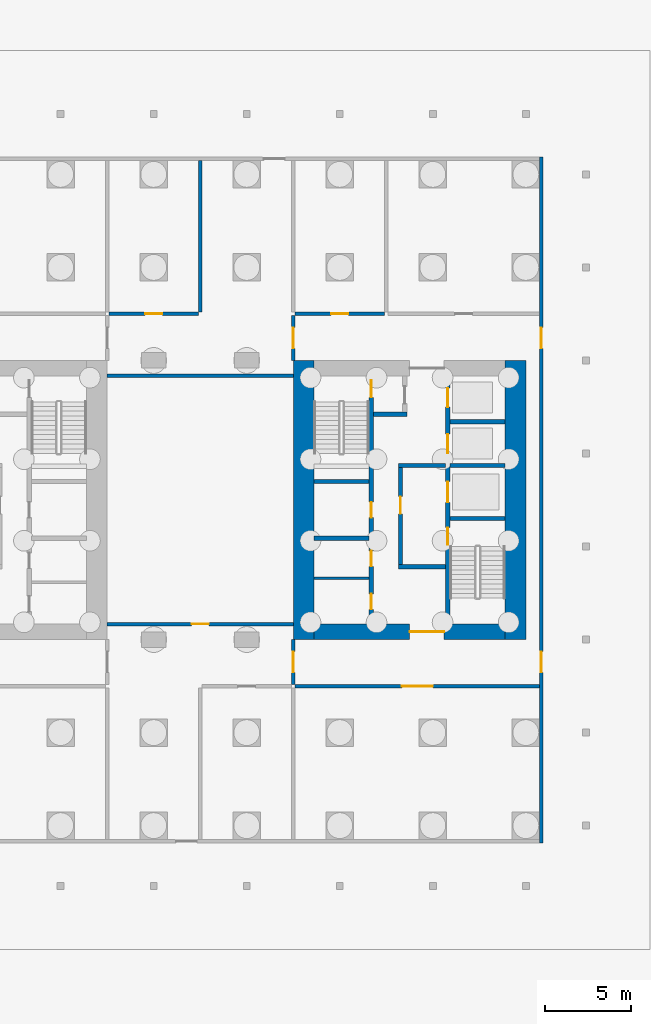
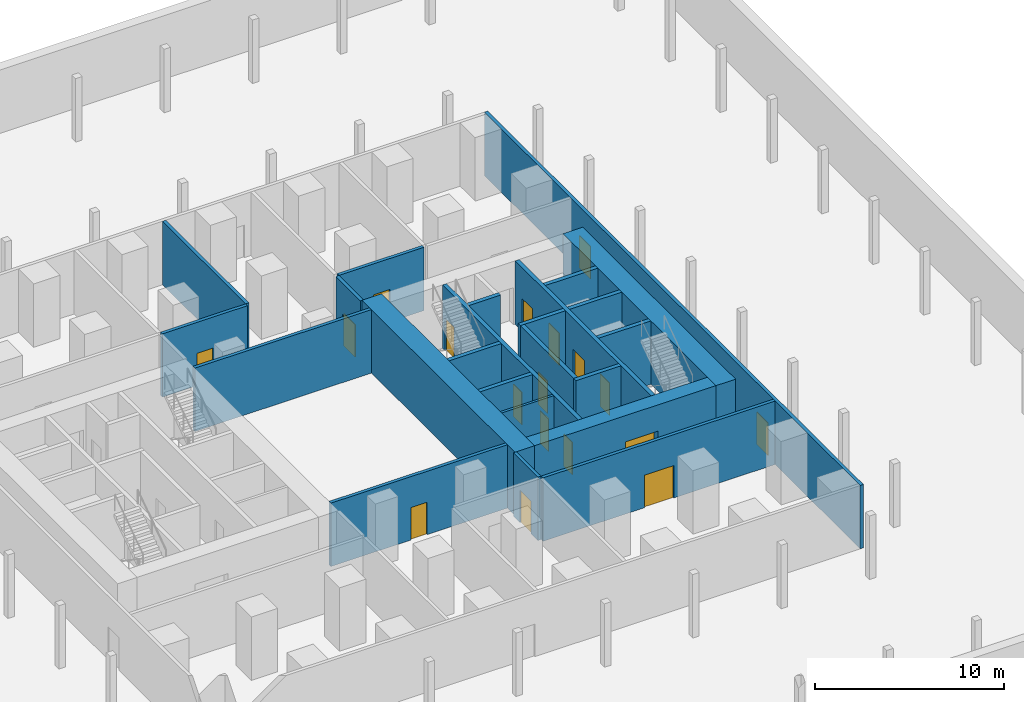
# One storey, part 4 of 8: 24 walls, 18 doors, 18 openings.
"""IFC4 building model written with IfcOpenShell, lengths in metres."""

from ifc_helpers import new_model, si_unit, direction, frame, frame_2d, origin, place, context, subcontext, project, spatial, rectangle, extrude, material, layer, layer_set, type_object, element, fill, save


model = new_model("IFC4")

# Units and contexts
model_context = context("Model", 3, precision=1e-05, world=origin(), true_north=direction((0.0, 1.0)))
body_context = subcontext(model_context, "Body", "Model", "MODEL_VIEW")
ifc_project = project(units=[si_unit("LENGTHUNIT", "METRE"), si_unit("AREAUNIT", "SQUARE_METRE"), si_unit("VOLUMEUNIT", "CUBIC_METRE"), si_unit("PLANEANGLEUNIT", "RADIAN"), si_unit("MASSUNIT", "GRAM", prefix="KILO")], contexts=[model_context])

# Site, building, storey
site_placement = place(None, origin())
site = spatial("IfcSite", under=ifc_project, at=site_placement, CompositionType="ELEMENT")
building_placement = place(site_placement, origin())
building = spatial("IfcBuilding", under=site, at=building_placement, Name="Tabaq Tower and Sports Hall", CompositionType="ELEMENT")
storey_placement = place(building_placement, frame((0.0, 0.0, -9.0)))
storey = spatial("IfcBuildingStorey", under=building, at=storey_placement, Name="B02", CompositionType="ELEMENT", Elevation=-9.0)

# Wall, openings, doors
ifc_material_1 = material(Name="Blockwork", Category="masonry")
ifc_layer_1 = layer(ifc_material_1, 0.199951171875)
ifc_layer_set_1 = layer_set([ifc_layer_1], Name="Blockwork Wall 200 EI 120")
wall_type_1 = type_object("IfcWallType", Name="Blockwork Wall 200 EI 120", PredefinedType="PARTITIONING", material=ifc_layer_set_1)
wall_1_placement = place(storey_placement, frame((44.10009765625, 4.39990234375, 0.0), z_axis=(0.0, 0.0, 1.0), x_axis=(0.0, 1.0, 0.0)))
wall_1 = element("IfcWall", 1, at=wall_1_placement, inside=storey, type_object=wall_type_1, Name="Wall B02-04", PredefinedType="PARTITIONING", context=body_context, shape_type="SweptSolid", body=[
    extrude(rectangle(XDim=39.800048828125, YDim=0.199951171875, at=frame_2d((19.89990234375, 0.0))), origin(), (0.0, 0.0, 1.0), 4.10009765625),
])
opening_1_placement = place(wall_1_placement, frame((9.89990234375, 0.0, 0.0)))
opening_1 = element("IfcOpeningElement", 2, at=opening_1_placement, cuts=wall_1, Name="Opening B02-05", PredefinedType="OPENING", context=body_context, shape_type="SweptSolid", body=[
    extrude(rectangle(XDim=1.199951171875, YDim=2.10009765625, at=frame_2d((0.60009765625, 1.050048828125))), frame((0.0, 0.10986328125, 0.0), z_axis=(0.0, -1.0, 0.0), x_axis=(1.0, 0.0, 0.0)), (0.0, 0.0, 1.0), 0.219970703125),
])
opening_2_placement = place(wall_1_placement, frame((28.699951171875, 0.0, 0.0)))
opening_2 = element("IfcOpeningElement", 3, at=opening_2_placement, cuts=wall_1, Name="Opening B02-06", PredefinedType="OPENING", context=body_context, shape_type="SweptSolid", body=[
    extrude(rectangle(XDim=1.199951171875, YDim=2.10009765625, at=frame_2d((0.60009765625, 1.050048828125))), frame((0.0, 0.10986328125, 0.0), z_axis=(0.0, -1.0, 0.0), x_axis=(1.0, 0.0, 0.0)), (0.0, 0.0, 1.0), 0.219970703125),
])
ifc_material_2 = material(Name="Hollow metal fire door")
door_type_1 = type_object("IfcDoorType", Name="Basement Door 1200 FD120S", OperationType="SINGLE_SWING_LEFT", PredefinedType="DOOR", material=ifc_material_2)
door_1_placement = place(opening_1_placement, origin())
door_1 = element("IfcDoor", 4, at=door_1_placement, inside=storey, type_object=door_type_1, Name="Door B02-05", OperationType="SINGLE_SWING_LEFT", OverallHeight=2.10009765625, OverallWidth=1.199951171875, PredefinedType="DOOR", context=body_context, shape_type="SweptSolid", body=[
    extrude(rectangle(XDim=1.199951171875, YDim=2.10009765625, at=frame_2d((0.60009765625, 1.050048828125))), frame((0.0, 0.02490234375, 0.0), z_axis=(0.0, -1.0, 0.0), x_axis=(1.0, 0.0, 0.0)), (0.0, 0.0, 1.0), 0.050048828125),
])
fill(opening_1, door_1)
door_2_placement = place(opening_2_placement, origin())
door_2 = element("IfcDoor", 5, at=door_2_placement, inside=storey, type_object=door_type_1, Name="Door B02-06", OperationType="SINGLE_SWING_LEFT", OverallHeight=2.10009765625, OverallWidth=1.199951171875, PredefinedType="DOOR", context=body_context, shape_type="SweptSolid", body=[
    extrude(rectangle(XDim=1.199951171875, YDim=2.10009765625, at=frame_2d((0.60009765625, 1.050048828125))), frame((0.0, 0.02490234375, 0.0), z_axis=(0.0, -1.0, 0.0), x_axis=(1.0, 0.0, 0.0)), (0.0, 0.0, 1.0), 0.050048828125),
])
fill(opening_2, door_2)

# Wall
wall_2_placement = place(storey_placement, frame((24.300048828125, 35.199951171875, 0.0), z_axis=(0.0, 0.0, 1.0), x_axis=(0.0, 1.0, 0.0)))
element("IfcWall", 6, at=wall_2_placement, inside=storey, type_object=wall_type_1, Name="Wall B02-09", PredefinedType="PARTITIONING", context=body_context, shape_type="SweptSolid", body=[
    extrude(rectangle(XDim=8.800048828125, YDim=0.199951171875, at=frame_2d((4.39990234375, 0.0))), origin(), (0.0, 0.0, 1.0), 4.10009765625),
])

# Wall, opening, door
wall_3_placement = place(storey_placement, frame((29.800048828125, 13.5, 0.0), z_axis=(0.0, 0.0, 1.0), x_axis=(1.0, 0.0, 0.0)))
wall_3 = element("IfcWall", 7, at=wall_3_placement, inside=storey, type_object=wall_type_1, Name="Wall B02-14", PredefinedType="PARTITIONING", context=body_context, shape_type="SweptSolid", body=[
    extrude(rectangle(XDim=14.199951171875, YDim=0.199951171875, at=frame_2d((7.10009765625, 0.0))), origin(), (0.0, 0.0, 1.0), 4.10009765625),
])
opening_3_placement = place(wall_3_placement, frame((6.199951171875, 0.0, 0.0)))
opening_3 = element("IfcOpeningElement", 8, at=opening_3_placement, cuts=wall_3, Name="Opening B02-09", PredefinedType="OPENING", context=body_context, shape_type="SweptSolid", body=[
    extrude(rectangle(XDim=1.800048828125, YDim=2.10009765625, at=frame_2d((0.89990234375, 1.050048828125))), frame((0.0, 0.10986328125, 0.0), z_axis=(0.0, -1.0, 0.0), x_axis=(1.0, 0.0, 0.0)), (0.0, 0.0, 1.0), 0.219970703125),
])
ifc_material_3 = material(Name="Hollow metal fire door")
door_type_2 = type_object("IfcDoorType", Name="Basement Door 1800 FD120S", OperationType="DOUBLE_DOOR_SINGLE_SWING", PredefinedType="DOOR", material=ifc_material_3)
door_3_placement = place(opening_3_placement, origin())
door_3 = element("IfcDoor", 9, at=door_3_placement, inside=storey, type_object=door_type_2, Name="Door B02-09", OperationType="DOUBLE_DOOR_SINGLE_SWING", OverallHeight=2.10009765625, OverallWidth=1.800048828125, PredefinedType="DOOR", context=body_context, shape_type="SweptSolid", body=[
    extrude(rectangle(XDim=1.800048828125, YDim=2.10009765625, at=frame_2d((0.89990234375, 1.050048828125))), frame((0.0, 0.02490234375, 0.0), z_axis=(0.0, -1.0, 0.0), x_axis=(1.0, 0.0, 0.0)), (0.0, 0.0, 1.0), 0.050048828125),
])
fill(opening_3, door_3)

wall_4_placement = place(storey_placement, frame((19.0, 35.10009765625, 0.0), z_axis=(0.0, 0.0, 1.0), x_axis=(1.0, 0.0, 0.0)))
wall_4 = element("IfcWall", 10, at=wall_4_placement, inside=storey, type_object=wall_type_1, Name="Wall B02-16", PredefinedType="PARTITIONING", context=body_context, shape_type="SweptSolid", body=[
    extrude(rectangle(XDim=5.199951171875, YDim=0.199951171875, at=frame_2d((2.60009765625, 0.0))), origin(), (0.0, 0.0, 1.0), 4.10009765625),
])
opening_4_placement = place(wall_4_placement, frame((2.10009765625, 0.0, 0.0)))
opening_4 = element("IfcOpeningElement", 11, at=opening_4_placement, cuts=wall_4, Name="Opening B02-11", PredefinedType="OPENING", context=body_context, shape_type="SweptSolid", body=[
    extrude(rectangle(XDim=1.0, YDim=2.10009765625, at=frame_2d((0.5, 1.050048828125))), frame((0.0, 0.10986328125, 0.0), z_axis=(0.0, -1.0, 0.0), x_axis=(1.0, 0.0, 0.0)), (0.0, 0.0, 1.0), 0.219970703125),
])
ifc_material_4 = material(Name="Hollow metal fire door")
door_type_3 = type_object("IfcDoorType", Name="Basement Door 1000 FD120S", OperationType="SINGLE_SWING_LEFT", PredefinedType="DOOR", material=ifc_material_4)
door_4_placement = place(opening_4_placement, origin())
door_4 = element("IfcDoor", 12, at=door_4_placement, inside=storey, type_object=door_type_3, Name="Door B02-11", OperationType="SINGLE_SWING_LEFT", OverallHeight=2.10009765625, OverallWidth=1.0, PredefinedType="DOOR", context=body_context, shape_type="SweptSolid", body=[
    extrude(rectangle(XDim=1.0, YDim=2.10009765625, at=frame_2d((0.5, 1.050048828125))), frame((0.0, 0.02490234375, 0.0), z_axis=(0.0, -1.0, 0.0), x_axis=(1.0, 0.0, 0.0)), (0.0, 0.0, 1.0), 0.050048828125),
])
fill(opening_4, door_4)

wall_5_placement = place(storey_placement, frame((29.800048828125, 35.10009765625, 0.0), z_axis=(0.0, 0.0, 1.0), x_axis=(1.0, 0.0, 0.0)))
wall_5 = element("IfcWall", 13, at=wall_5_placement, inside=storey, type_object=wall_type_1, Name="Wall B02-17", PredefinedType="PARTITIONING", context=body_context, shape_type="SweptSolid", body=[
    extrude(rectangle(XDim=5.199951171875, YDim=0.199951171875, at=frame_2d((2.60009765625, 0.0))), origin(), (0.0, 0.0, 1.0), 4.10009765625),
])
opening_5_placement = place(wall_5_placement, frame((2.10009765625, 0.0, 0.0)))
opening_5 = element("IfcOpeningElement", 14, at=opening_5_placement, cuts=wall_5, Name="Opening B02-12", PredefinedType="OPENING", context=body_context, shape_type="SweptSolid", body=[
    extrude(rectangle(XDim=1.0, YDim=2.10009765625, at=frame_2d((0.5, 1.050048828125))), frame((0.0, 0.10986328125, 0.0), z_axis=(0.0, -1.0, 0.0), x_axis=(1.0, 0.0, 0.0)), (0.0, 0.0, 1.0), 0.219970703125),
])
door_5_placement = place(opening_5_placement, origin())
door_5 = element("IfcDoor", 15, at=door_5_placement, inside=storey, type_object=door_type_3, Name="Door B02-12", OperationType="SINGLE_SWING_LEFT", OverallHeight=2.10009765625, OverallWidth=1.0, PredefinedType="DOOR", context=body_context, shape_type="SweptSolid", body=[
    extrude(rectangle(XDim=1.0, YDim=2.10009765625, at=frame_2d((0.5, 1.050048828125))), frame((0.0, 0.02490234375, 0.0), z_axis=(0.0, -1.0, 0.0), x_axis=(1.0, 0.0, 0.0)), (0.0, 0.0, 1.0), 0.050048828125),
])
fill(opening_5, door_5)

ifc_material_5 = material(Name="Blockwork", Category="masonry")
ifc_layer_2 = layer(ifc_material_5, 0.199951171875)
ifc_layer_set_2 = layer_set([ifc_layer_2], Name="Blockwork Wall 200 EI 60")
wall_type_2 = type_object("IfcWallType", Name="Blockwork Wall 200 EI 60", PredefinedType="PARTITIONING", material=ifc_layer_set_2)
wall_6_placement = place(storey_placement, frame((29.699951171875, 13.60009765625, 0.0), z_axis=(0.0, 0.0, 1.0), x_axis=(0.0, 1.0, 0.0)))
wall_6 = element("IfcWall", 16, at=wall_6_placement, inside=storey, type_object=wall_type_2, Name="Wall B02-21", PredefinedType="PARTITIONING", context=body_context, shape_type="SweptSolid", body=[
    extrude(rectangle(XDim=2.599853515625, YDim=0.199951171875, at=frame_2d((1.2998046875, 0.0))), origin(), (0.0, 0.0, 1.0), 4.10009765625),
])
opening_6_placement = place(wall_6_placement, frame((0.699951171875, 0.0, 0.0)))
opening_6 = element("IfcOpeningElement", 17, at=opening_6_placement, cuts=wall_6, Name="Opening B02-16", PredefinedType="OPENING", context=body_context, shape_type="SweptSolid", body=[
    extrude(rectangle(XDim=1.199951171875, YDim=2.10009765625, at=frame_2d((0.60009765625, 1.050048828125))), frame((0.0, 0.10986328125, 0.0), z_axis=(0.0, -1.0, 0.0), x_axis=(1.0, 0.0, 0.0)), (0.0, 0.0, 1.0), 0.219970703125),
])
ifc_material_6 = material(Name="Hollow metal fire door")
door_type_4 = type_object("IfcDoorType", Name="Basement Door 1200 FD60S", OperationType="SINGLE_SWING_LEFT", PredefinedType="DOOR", material=ifc_material_6)
door_6_placement = place(opening_6_placement, origin())
door_6 = element("IfcDoor", 18, at=door_6_placement, inside=storey, type_object=door_type_4, Name="Door B02-16", OperationType="SINGLE_SWING_LEFT", OverallHeight=2.10009765625, OverallWidth=1.199951171875, PredefinedType="DOOR", context=body_context, shape_type="SweptSolid", body=[
    extrude(rectangle(XDim=1.199951171875, YDim=2.10009765625, at=frame_2d((0.60009765625, 1.050048828125))), frame((0.0, 0.02490234375, 0.0), z_axis=(0.0, -1.0, 0.0), x_axis=(1.0, 0.0, 0.0)), (0.0, 0.0, 1.0), 0.050048828125),
])
fill(opening_6, door_6)

wall_7_placement = place(storey_placement, frame((29.699951171875, 32.39990234375, 0.0), z_axis=(0.0, 0.0, 1.0), x_axis=(0.0, 1.0, 0.0)))
wall_7 = element("IfcWall", 19, at=wall_7_placement, inside=storey, type_object=wall_type_2, Name="Wall B02-22", PredefinedType="PARTITIONING", context=body_context, shape_type="SweptSolid", body=[
    extrude(rectangle(XDim=2.60009765625, YDim=0.199951171875, at=frame_2d((1.300048828125, 0.0))), origin(), (0.0, 0.0, 1.0), 4.10009765625),
])
opening_7_placement = place(wall_7_placement, frame((0.699951171875, 0.0, 0.0)))
opening_7 = element("IfcOpeningElement", 20, at=opening_7_placement, cuts=wall_7, Name="Opening B02-17", PredefinedType="OPENING", context=body_context, shape_type="SweptSolid", body=[
    extrude(rectangle(XDim=1.199951171875, YDim=2.10009765625, at=frame_2d((0.60009765625, 1.050048828125))), frame((0.0, 0.10986328125, 0.0), z_axis=(0.0, -1.0, 0.0), x_axis=(1.0, 0.0, 0.0)), (0.0, 0.0, 1.0), 0.219970703125),
])
door_7_placement = place(opening_7_placement, origin())
door_7 = element("IfcDoor", 21, at=door_7_placement, inside=storey, type_object=door_type_4, Name="Door B02-17", OperationType="SINGLE_SWING_LEFT", OverallHeight=2.10009765625, OverallWidth=1.199951171875, PredefinedType="DOOR", context=body_context, shape_type="SweptSolid", body=[
    extrude(rectangle(XDim=1.199951171875, YDim=2.10009765625, at=frame_2d((0.60009765625, 1.050048828125))), frame((0.0, 0.02490234375, 0.0), z_axis=(0.0, -1.0, 0.0), x_axis=(1.0, 0.0, 0.0)), (0.0, 0.0, 1.0), 0.050048828125),
])
fill(opening_7, door_7)

wall_8_placement = place(storey_placement, frame((18.89990234375, 17.10009765625, 0.0), z_axis=(0.0, 0.0, 1.0), x_axis=(1.0, 0.0, 0.0)))
wall_8 = element("IfcWall", 22, at=wall_8_placement, inside=storey, type_object=wall_type_2, Name="Wall B02-23", PredefinedType="PARTITIONING", context=body_context, shape_type="SweptSolid", body=[
    extrude(rectangle(XDim=10.800048828125, YDim=0.199951171875, at=frame_2d((5.39990234375, 0.0))), origin(), (0.0, 0.0, 1.0), 4.10009765625),
])
opening_8_placement = place(wall_8_placement, frame((4.89990234375, 0.0, 0.0)))
opening_8 = element("IfcOpeningElement", 23, at=opening_8_placement, cuts=wall_8, Name="Opening B02-18", PredefinedType="OPENING", context=body_context, shape_type="SweptSolid", body=[
    extrude(rectangle(XDim=1.0, YDim=2.10009765625, at=frame_2d((0.5, 1.050048828125))), frame((0.0, 0.10986328125, 0.0), z_axis=(0.0, -1.0, 0.0), x_axis=(1.0, 0.0, 0.0)), (0.0, 0.0, 1.0), 0.219970703125),
])
ifc_material_7 = material(Name="Hollow metal fire door")
door_type_5 = type_object("IfcDoorType", Name="Basement Door 1000 FD60S", OperationType="SINGLE_SWING_LEFT", PredefinedType="DOOR", material=ifc_material_7)
door_8_placement = place(opening_8_placement, origin())
door_8 = element("IfcDoor", 24, at=door_8_placement, inside=storey, type_object=door_type_5, Name="Door B02-18", OperationType="SINGLE_SWING_LEFT", OverallHeight=2.10009765625, OverallWidth=1.0, PredefinedType="DOOR", context=body_context, shape_type="SweptSolid", body=[
    extrude(rectangle(XDim=1.0, YDim=2.10009765625, at=frame_2d((0.5, 1.050048828125))), frame((0.0, 0.02490234375, 0.0), z_axis=(0.0, -1.0, 0.0), x_axis=(1.0, 0.0, 0.0)), (0.0, 0.0, 1.0), 0.050048828125),
])
fill(opening_8, door_8)

# Walls
wall_9_placement = place(storey_placement, frame((18.89990234375, 31.5, 0.0), z_axis=(0.0, 0.0, 1.0), x_axis=(1.0, 0.0, 0.0)))
element("IfcWall", 25, at=wall_9_placement, inside=storey, type_object=wall_type_2, Name="Wall B02-24", PredefinedType="PARTITIONING", context=body_context, shape_type="SweptSolid", body=[
    extrude(rectangle(XDim=10.800048828125, YDim=0.199951171875, at=frame_2d((5.39990234375, 0.0))), origin(), (0.0, 0.0, 1.0), 4.10009765625),
])
ifc_material_8 = material(Name="Blockwork", Category="masonry")
ifc_layer_3 = layer(ifc_material_8, 0.14990234375)
ifc_layer_set_3 = layer_set([ifc_layer_3], Name="Core room partition 150 Blockwork")
wall_type_3 = type_object("IfcWallType", Name="Core room partition 150 Blockwork", PredefinedType="PARTITIONING", material=ifc_layer_set_3)
wall_10_placement = place(storey_placement, frame((30.89990234375, 19.76708984375, 0.0), z_axis=(0.0, 0.0, 1.0), x_axis=(1.0, 0.0, 0.0)))
element("IfcWall", 26, at=wall_10_placement, inside=storey, type_object=wall_type_3, Name="Core room partition E B02", PredefinedType="PARTITIONING", context=body_context, shape_type="SweptSolid", body=[
    extrude(rectangle(XDim=3.2001953125, YDim=0.14990234375, at=frame_2d((1.60009765625, 0.0))), origin(), (0.0, 0.0, 1.0), 4.10009765625),
])
ifc_material_9 = material(Name="Concrete C60/75", Category="concrete")
ifc_layer_4 = layer(ifc_material_9, 1.199951171875)
ifc_layer_set_4 = layer_set([ifc_layer_4], Name="Core wall 1200 Concrete C60/75")
wall_type_4 = type_object("IfcWallType", Name="Core wall 1200 Concrete C60/75", PredefinedType="SOLIDWALL", material=ifc_layer_set_4)
for number, where, z_axis, x_axis, name in (
    (27, (42.60009765625, 32.39990234375, 0.0), (0.0, 0.0, 1.0), (0.0, -1.0, 0.0), "Core wall E B02"),
    (28, (30.300048828125, 16.199951171875, 0.0), (0.0, 0.0, 1.0), (0.0, 1.0, 0.0), "Core wall E B02"),
):
    element("IfcWall", number, at=place(storey_placement, frame(where, z_axis=z_axis, x_axis=x_axis)), inside=storey, type_object=wall_type_4, Name=name, PredefinedType="SOLIDWALL", context=body_context, shape_type="SweptSolid", body=[
        extrude(rectangle(XDim=16.199951171875, YDim=1.199951171875, at=frame_2d((8.10009765625, 0.0))), origin(), (0.0, 0.0, 1.0), 4.10009765625),
    ])

# Wall, opening, door
ifc_material_10 = material(Name="Concrete C60/75", Category="concrete")
ifc_layer_5 = layer(ifc_material_10, 0.89990234375)
ifc_layer_set_5 = layer_set([ifc_layer_5], Name="Core wall 900 Concrete C60/75")
wall_type_5 = type_object("IfcWallType", Name="Core wall 900 Concrete C60/75", PredefinedType="SOLIDWALL", material=ifc_layer_set_5)
wall_11_placement = place(storey_placement, frame((42.0, 16.64990234375, 0.0), z_axis=(0.0, 0.0, 1.0), x_axis=(-1.0, 0.0, 0.0)))
wall_11 = element("IfcWall", 29, at=wall_11_placement, inside=storey, type_object=wall_type_5, Name="Core wall E B02", PredefinedType="SOLIDWALL", context=body_context, shape_type="SweptSolid", body=[
    extrude(rectangle(XDim=11.10009765625, YDim=0.89990234375, at=frame_2d((5.550048828125, 0.0))), origin(), (0.0, 0.0, 1.0), 4.10009765625),
])
opening_9_placement = place(wall_11_placement, frame((3.550048828125, 0.0, 0.0)))
opening_9 = element("IfcOpeningElement", 30, at=opening_9_placement, cuts=wall_11, Name="Opening PD-EB02-01", PredefinedType="OPENING", context=body_context, shape_type="SweptSolid", body=[
    extrude(rectangle(XDim=2.0, YDim=2.39990234375, at=frame_2d((1.0, 1.199951171875))), frame((0.0, 0.449951171875, 0.0), z_axis=(0.0, -1.0, 0.0), x_axis=(1.0, 0.0, 0.0)), (0.0, 0.0, 1.0), 0.89990234375),
])
ifc_material_11 = material(Name="Steel fire door", Category="steel")
door_type_6 = type_object("IfcDoorType", Name="Core entrance door 2000", OperationType="DOUBLE_DOOR_SINGLE_SWING", PredefinedType="DOOR", material=ifc_material_11)
door_9_placement = place(opening_9_placement, origin())
door_9 = element("IfcDoor", 31, at=door_9_placement, inside=storey, type_object=door_type_6, Name="Core entrance south E B02", OperationType="DOUBLE_DOOR_SINGLE_SWING", OverallHeight=2.39990234375, OverallWidth=2.0, PredefinedType="DOOR", context=body_context, shape_type="SweptSolid", body=[
    extrude(rectangle(XDim=2.0, YDim=2.39990234375, at=frame_2d((1.0, 1.199951171875))), frame((0.0, 0.02490234375, 0.0), z_axis=(0.0, -1.0, 0.0), x_axis=(1.0, 0.0, 0.0)), (0.0, 0.0, 1.0), 0.050048828125),
])
fill(opening_9, door_9)

# Wall, openings, doors
ifc_material_12 = material(Name="Concrete C40/50", Category="concrete")
ifc_layer_6 = layer(ifc_material_12, 0.25)
ifc_layer_set_6 = layer_set([ifc_layer_6], Name="Shaft and stair wall 250 Concrete C40/50")
wall_type_6 = type_object("IfcWallType", Name="Shaft and stair wall 250 Concrete C40/50", PredefinedType="SOLIDWALL", material=ifc_layer_set_6)
wall_12_placement = place(storey_placement, frame((38.675048828125, 17.10009765625, 0.0), z_axis=(0.0, 0.0, 1.0), x_axis=(0.0, 1.0, 0.0)))
wall_12 = element("IfcWall", 32, at=wall_12_placement, inside=storey, type_object=wall_type_6, Name="Shaft wall E B02", PredefinedType="SOLIDWALL", context=body_context, shape_type="SweptSolid", body=[
    extrude(rectangle(XDim=14.39990234375, YDim=0.25, at=frame_2d((7.199951171875, 0.0))), origin(), (0.0, 0.0, 1.0), 4.10009765625),
])
opening_10_placement = place(wall_12_placement, frame((4.60009765625, 0.0, 0.0)))
opening_10 = element("IfcOpeningElement", 33, at=opening_10_placement, cuts=wall_12, Name="Opening SD-EB02-03", PredefinedType="OPENING", context=body_context, shape_type="SweptSolid", body=[
    extrude(rectangle(XDim=1.0, YDim=2.10009765625, at=frame_2d((0.5, 1.050048828125))), frame((0.0, 0.125, 0.0), z_axis=(0.0, -1.0, 0.0), x_axis=(1.0, 0.0, 0.0)), (0.0, 0.0, 1.0), 0.25),
])
opening_11_placement = place(wall_12_placement, frame((7.0625, 0.0, 0.0)))
opening_11 = element("IfcOpeningElement", 34, at=opening_11_placement, cuts=wall_12, Name="Opening LD-FF2-B02", PredefinedType="OPENING", context=body_context, shape_type="SweptSolid", body=[
    extrude(rectangle(XDim=1.199951171875, YDim=2.10009765625, at=frame_2d((0.60009765625, 1.050048828125))), frame((0.0, 0.125, 0.0), z_axis=(0.0, -1.0, 0.0), x_axis=(1.0, 0.0, 0.0)), (0.0, 0.0, 1.0), 0.25),
])
opening_12_placement = place(wall_12_placement, frame((9.925048828125, 0.0, 0.0)))
opening_12 = element("IfcOpeningElement", 35, at=opening_12_placement, cuts=wall_12, Name="Opening LD-LR3-B02", PredefinedType="OPENING", context=body_context, shape_type="SweptSolid", body=[
    extrude(rectangle(XDim=1.10009765625, YDim=2.10009765625, at=frame_2d((0.550048828125, 1.050048828125))), frame((0.0, 0.125, 0.0), z_axis=(0.0, -1.0, 0.0), x_axis=(1.0, 0.0, 0.0)), (0.0, 0.0, 1.0), 0.25),
])
opening_13_placement = place(wall_12_placement, frame((12.58740234375, 0.0, 0.0)))
opening_13 = element("IfcOpeningElement", 36, at=opening_13_placement, cuts=wall_12, Name="Opening LD-LR4-B02", PredefinedType="OPENING", context=body_context, shape_type="SweptSolid", body=[
    extrude(rectangle(XDim=1.10009765625, YDim=2.10009765625, at=frame_2d((0.550048828125, 1.050048828125))), frame((0.0, 0.125, 0.0), z_axis=(0.0, -1.0, 0.0), x_axis=(1.0, 0.0, 0.0)), (0.0, 0.0, 1.0), 0.25),
])
ifc_material_13 = material(Name="Stainless steel", Category="steel")
door_type_7 = type_object("IfcDoorType", Name="Lift landing door 1100", OperationType="DOUBLE_DOOR_SLIDING", PredefinedType="DOOR", material=ifc_material_13)
door_10_placement = place(opening_12_placement, origin())
door_10 = element("IfcDoor", 37, at=door_10_placement, inside=storey, type_object=door_type_7, Name="Lift landing door LR3 E B02", OperationType="DOUBLE_DOOR_SLIDING", OverallHeight=2.10009765625, OverallWidth=1.10009765625, PredefinedType="DOOR", context=body_context, shape_type="SweptSolid", body=[
    extrude(rectangle(XDim=1.10009765625, YDim=2.10009765625, at=frame_2d((0.550048828125, 1.050048828125))), frame((0.0, 0.02490234375, 0.0), z_axis=(0.0, -1.0, 0.0), x_axis=(1.0, 0.0, 0.0)), (0.0, 0.0, 1.0), 0.050048828125),
])
fill(opening_12, door_10)
door_11_placement = place(opening_13_placement, origin())
door_11 = element("IfcDoor", 38, at=door_11_placement, inside=storey, type_object=door_type_7, Name="Lift landing door LR4 E B02", OperationType="DOUBLE_DOOR_SLIDING", OverallHeight=2.10009765625, OverallWidth=1.10009765625, PredefinedType="DOOR", context=body_context, shape_type="SweptSolid", body=[
    extrude(rectangle(XDim=1.10009765625, YDim=2.10009765625, at=frame_2d((0.550048828125, 1.050048828125))), frame((0.0, 0.02490234375, 0.0), z_axis=(0.0, -1.0, 0.0), x_axis=(1.0, 0.0, 0.0)), (0.0, 0.0, 1.0), 0.050048828125),
])
fill(opening_13, door_11)
ifc_material_14 = material(Name="Stainless steel", Category="steel")
door_type_8 = type_object("IfcDoorType", Name="Lift landing door 1200", OperationType="DOUBLE_DOOR_SLIDING", PredefinedType="DOOR", material=ifc_material_14)
door_12_placement = place(opening_11_placement, origin())
door_12 = element("IfcDoor", 39, at=door_12_placement, inside=storey, type_object=door_type_8, Name="Lift landing door FF2 E B02", OperationType="DOUBLE_DOOR_SLIDING", OverallHeight=2.10009765625, OverallWidth=1.199951171875, PredefinedType="DOOR", context=body_context, shape_type="SweptSolid", body=[
    extrude(rectangle(XDim=1.199951171875, YDim=2.10009765625, at=frame_2d((0.60009765625, 1.050048828125))), frame((0.0, 0.02490234375, 0.0), z_axis=(0.0, -1.0, 0.0), x_axis=(1.0, 0.0, 0.0)), (0.0, 0.0, 1.0), 0.050048828125),
])
fill(opening_11, door_12)
ifc_material_15 = material(Name="Steel fire door", Category="steel")
door_type_9 = type_object("IfcDoorType", Name="Stair door 1000", OperationType="SINGLE_SWING_LEFT", PredefinedType="DOOR", material=ifc_material_15)
door_13_placement = place(opening_10_placement, origin())
door_13 = element("IfcDoor", 40, at=door_13_placement, inside=storey, type_object=door_type_9, Name="Stair door ST3 E B02", OperationType="SINGLE_SWING_LEFT", OverallHeight=2.10009765625, OverallWidth=1.0, PredefinedType="DOOR", context=body_context, shape_type="SweptSolid", body=[
    extrude(rectangle(XDim=1.0, YDim=2.10009765625, at=frame_2d((0.5, 1.050048828125))), frame((0.0, 0.02490234375, 0.0), z_axis=(0.0, -1.0, 0.0), x_axis=(1.0, 0.0, 0.0)), (0.0, 0.0, 1.0), 0.050048828125),
])
fill(opening_10, door_13)

wall_13_placement = place(storey_placement, frame((34.22509765625, 17.10009765625, 0.0), z_axis=(0.0, 0.0, 1.0), x_axis=(0.0, 1.0, 0.0)))
wall_13 = element("IfcWall", 41, at=wall_13_placement, inside=storey, type_object=wall_type_6, Name="Shaft wall E B02", PredefinedType="SOLIDWALL", context=body_context, shape_type="SweptSolid", body=[
    extrude(rectangle(XDim=14.39990234375, YDim=0.25, at=frame_2d((7.199951171875, 0.0))), origin(), (0.0, 0.0, 1.0), 4.10009765625),
])
opening_14_placement = place(wall_13_placement, frame((13.14990234375, 0.0, 0.0)))
opening_14 = element("IfcOpeningElement", 42, at=opening_14_placement, cuts=wall_13, Name="Opening SD-EB02-05", PredefinedType="OPENING", context=body_context, shape_type="SweptSolid", body=[
    extrude(rectangle(XDim=1.0, YDim=2.10009765625, at=frame_2d((0.5, 1.050048828125))), frame((0.0, 0.125, 0.0), z_axis=(0.0, -1.0, 0.0), x_axis=(1.0, 0.0, 0.0)), (0.0, 0.0, 1.0), 0.25),
])
opening_15_placement = place(wall_13_placement, frame((0.845947265625, 0.0, 0.0)))
opening_15 = element("IfcOpeningElement", 43, at=opening_15_placement, cuts=wall_13, Name="Opening RD-EB02-10", PredefinedType="OPENING", context=body_context, shape_type="SweptSolid", body=[
    extrude(rectangle(XDim=0.89990234375, YDim=2.10009765625, at=frame_2d((0.449951171875, 1.050048828125))), frame((0.0, 0.125, 0.0), z_axis=(0.0, -1.0, 0.0), x_axis=(1.0, 0.0, 0.0)), (0.0, 0.0, 1.0), 0.25),
])
opening_16_placement = place(wall_13_placement, frame((3.345947265625, 0.0, 0.0)))
opening_16 = element("IfcOpeningElement", 44, at=opening_16_placement, cuts=wall_13, Name="Opening RD-EB02-11", PredefinedType="OPENING", context=body_context, shape_type="SweptSolid", body=[
    extrude(rectangle(XDim=0.89990234375, YDim=2.10009765625, at=frame_2d((0.449951171875, 1.050048828125))), frame((0.0, 0.125, 0.0), z_axis=(0.0, -1.0, 0.0), x_axis=(1.0, 0.0, 0.0)), (0.0, 0.0, 1.0), 0.25),
])
opening_17_placement = place(wall_13_placement, frame((6.175048828125, 0.0, 0.0)))
opening_17 = element("IfcOpeningElement", 45, at=opening_17_placement, cuts=wall_13, Name="Opening RD-EB02-12", PredefinedType="OPENING", context=body_context, shape_type="SweptSolid", body=[
    extrude(rectangle(XDim=0.89990234375, YDim=2.10009765625, at=frame_2d((0.449951171875, 1.050048828125))), frame((0.0, 0.125, 0.0), z_axis=(0.0, -1.0, 0.0), x_axis=(1.0, 0.0, 0.0)), (0.0, 0.0, 1.0), 0.25),
])
ifc_material_16 = material(Name="Steel fire door", Category="steel")
door_type_10 = type_object("IfcDoorType", Name="Core room door 900", OperationType="SINGLE_SWING_LEFT", PredefinedType="DOOR", material=ifc_material_16)
door_14_placement = place(opening_15_placement, origin())
door_14 = element("IfcDoor", 46, at=door_14_placement, inside=storey, type_object=door_type_10, Name="Door Fire Pump Valve Room E B02", OperationType="SINGLE_SWING_LEFT", OverallHeight=2.10009765625, OverallWidth=0.89990234375, PredefinedType="DOOR", context=body_context, shape_type="SweptSolid", body=[
    extrude(rectangle(XDim=0.89990234375, YDim=2.10009765625, at=frame_2d((0.449951171875, 1.050048828125))), frame((0.0, 0.02490234375, 0.0), z_axis=(0.0, -1.0, 0.0), x_axis=(1.0, 0.0, 0.0)), (0.0, 0.0, 1.0), 0.050048828125),
])
fill(opening_15, door_14)
door_15_placement = place(opening_16_placement, origin())
door_15 = element("IfcDoor", 47, at=door_15_placement, inside=storey, type_object=door_type_10, Name="Door Meter Room E B02", OperationType="SINGLE_SWING_LEFT", OverallHeight=2.10009765625, OverallWidth=0.89990234375, PredefinedType="DOOR", context=body_context, shape_type="SweptSolid", body=[
    extrude(rectangle(XDim=0.89990234375, YDim=2.10009765625, at=frame_2d((0.449951171875, 1.050048828125))), frame((0.0, 0.02490234375, 0.0), z_axis=(0.0, -1.0, 0.0), x_axis=(1.0, 0.0, 0.0)), (0.0, 0.0, 1.0), 0.050048828125),
])
fill(opening_16, door_15)
door_16_placement = place(opening_17_placement, origin())
door_16 = element("IfcDoor", 48, at=door_16_placement, inside=storey, type_object=door_type_10, Name="Door Riser Room E B02", OperationType="SINGLE_SWING_LEFT", OverallHeight=2.10009765625, OverallWidth=0.89990234375, PredefinedType="DOOR", context=body_context, shape_type="SweptSolid", body=[
    extrude(rectangle(XDim=0.89990234375, YDim=2.10009765625, at=frame_2d((0.449951171875, 1.050048828125))), frame((0.0, 0.02490234375, 0.0), z_axis=(0.0, -1.0, 0.0), x_axis=(1.0, 0.0, 0.0)), (0.0, 0.0, 1.0), 0.050048828125),
])
fill(opening_17, door_16)
door_17_placement = place(opening_14_placement, origin())
door_17 = element("IfcDoor", 49, at=door_17_placement, inside=storey, type_object=door_type_9, Name="Stair door ST4 E B02", OperationType="SINGLE_SWING_LEFT", OverallHeight=2.10009765625, OverallWidth=1.0, PredefinedType="DOOR", context=body_context, shape_type="SweptSolid", body=[
    extrude(rectangle(XDim=1.0, YDim=2.10009765625, at=frame_2d((0.5, 1.050048828125))), frame((0.0, 0.02490234375, 0.0), z_axis=(0.0, -1.0, 0.0), x_axis=(1.0, 0.0, 0.0)), (0.0, 0.0, 1.0), 0.050048828125),
])
fill(opening_14, door_17)

# Walls
wall_14_placement = place(storey_placement, frame((38.800048828125, 23.22509765625, 0.0), z_axis=(0.0, 0.0, 1.0), x_axis=(1.0, 0.0, 0.0)))
element("IfcWall", 50, at=wall_14_placement, inside=storey, type_object=wall_type_6, Name="Stair enclosure wall E B02", PredefinedType="SOLIDWALL", context=body_context, shape_type="SweptSolid", body=[
    extrude(rectangle(XDim=3.199951171875, YDim=0.25, at=frame_2d((1.60009765625, 0.0))), origin(), (0.0, 0.0, 1.0), 4.10009765625),
])
for number, where, z_axis, x_axis, name in (
    (51, (30.89990234375, 25.375, 0.0), (0.0, 0.0, 1.0), (1.0, 0.0, 0.0), "Stair enclosure wall E B02"),
    (52, (30.89990234375, 22.074951171875, 0.0), (0.0, 0.0, 1.0), (1.0, 0.0, 0.0), "Shaft wall E B02"),
):
    element("IfcWall", number, at=place(storey_placement, frame(where, z_axis=z_axis, x_axis=x_axis)), inside=storey, type_object=wall_type_6, Name=name, PredefinedType="SOLIDWALL", context=body_context, shape_type="SweptSolid", body=[
        extrude(rectangle(XDim=3.2001953125, YDim=0.25, at=frame_2d((1.60009765625, 0.0))), origin(), (0.0, 0.0, 1.0), 4.10009765625),
    ])
wall_15_placement = place(storey_placement, frame((38.800048828125, 26.300048828125, 0.0), z_axis=(0.0, 0.0, 1.0), x_axis=(1.0, 0.0, 0.0)))
element("IfcWall", 53, at=wall_15_placement, inside=storey, type_object=wall_type_6, Name="Shaft wall E B02", PredefinedType="SOLIDWALL", context=body_context, shape_type="SweptSolid", body=[
    extrude(rectangle(XDim=3.199951171875, YDim=0.25, at=frame_2d((1.60009765625, 0.0))), origin(), (0.0, 0.0, 1.0), 4.10009765625),
])
for number, where, z_axis, x_axis, name in (
    (54, (35.800048828125, 26.300048828125, 0.0), (0.0, 0.0, 1.0), (1.0, 0.0, 0.0), "Fire-fighting lobby wall E B02"),
    (55, (35.800048828125, 20.425048828125, 0.0), (0.0, 0.0, 1.0), (1.0, 0.0, 0.0), "Fire-fighting lobby wall E B02"),
):
    element("IfcWall", number, at=place(storey_placement, frame(where, z_axis=z_axis, x_axis=x_axis)), inside=storey, type_object=wall_type_6, Name=name, PredefinedType="SOLIDWALL", context=body_context, shape_type="SweptSolid", body=[
        extrude(rectangle(XDim=2.75, YDim=0.25, at=frame_2d((1.375, 0.0))), origin(), (0.0, 0.0, 1.0), 4.10009765625),
    ])
wall_16_placement = place(storey_placement, frame((34.35009765625, 29.27490234375, 0.0), z_axis=(0.0, 0.0, 1.0), x_axis=(1.0, 0.0, 0.0)))
element("IfcWall", 56, at=wall_16_placement, inside=storey, type_object=wall_type_6, Name="Fire-fighting lobby wall E B02", PredefinedType="SOLIDWALL", context=body_context, shape_type="SweptSolid", body=[
    extrude(rectangle(XDim=1.949951171875, YDim=0.25, at=frame_2d((0.97509765625, 0.0))), origin(), (0.0, 0.0, 1.0), 4.10009765625),
])

# Wall, opening, door
wall_17_placement = place(storey_placement, frame((35.925048828125, 20.550048828125, 0.0), z_axis=(0.0, 0.0, 1.0), x_axis=(0.0, 1.0, 0.0)))
wall_17 = element("IfcWall", 57, at=wall_17_placement, inside=storey, type_object=wall_type_6, Name="Fire-fighting lobby wall E B02", PredefinedType="SOLIDWALL", context=body_context, shape_type="SweptSolid", body=[
    extrude(rectangle(XDim=5.625, YDim=0.25, at=frame_2d((2.8125, 0.0))), origin(), (0.0, 0.0, 1.0), 4.10009765625),
])
opening_18_placement = place(wall_17_placement, frame((2.949951171875, 0.0, 0.0)))
opening_18 = element("IfcOpeningElement", 58, at=opening_18_placement, cuts=wall_17, Name="Opening FD-EB02-04", PredefinedType="OPENING", context=body_context, shape_type="SweptSolid", body=[
    extrude(rectangle(XDim=1.0, YDim=2.10009765625, at=frame_2d((0.5, 1.050048828125))), frame((0.0, 0.125, 0.0), z_axis=(0.0, -1.0, 0.0), x_axis=(1.0, 0.0, 0.0)), (0.0, 0.0, 1.0), 0.25),
])
ifc_material_17 = material(Name="Steel fire door", Category="steel")
door_type_11 = type_object("IfcDoorType", Name="Fire-fighting lobby door 1000", OperationType="SINGLE_SWING_LEFT", PredefinedType="DOOR", material=ifc_material_17)
door_18_placement = place(opening_18_placement, origin())
door_18 = element("IfcDoor", 59, at=door_18_placement, inside=storey, type_object=door_type_11, Name="Fire-fighting lobby door E B02", OperationType="SINGLE_SWING_LEFT", OverallHeight=2.10009765625, OverallWidth=1.0, PredefinedType="DOOR", context=body_context, shape_type="SweptSolid", body=[
    extrude(rectangle(XDim=1.0, YDim=2.10009765625, at=frame_2d((0.5, 1.050048828125))), frame((0.0, 0.02490234375, 0.0), z_axis=(0.0, -1.0, 0.0), x_axis=(1.0, 0.0, 0.0)), (0.0, 0.0, 1.0), 0.050048828125),
])
fill(opening_18, door_18)

# Wall
wall_18_placement = place(storey_placement, frame((38.800048828125, 28.85009765625, 0.0), z_axis=(0.0, 0.0, 1.0), x_axis=(1.0, 0.0, 0.0)))
element("IfcWall", 60, at=wall_18_placement, inside=storey, type_object=wall_type_6, Name="Shaft wall E B02", PredefinedType="SOLIDWALL", context=body_context, shape_type="SweptSolid", body=[
    extrude(rectangle(XDim=3.199951171875, YDim=0.25, at=frame_2d((1.60009765625, 0.0))), origin(), (0.0, 0.0, 1.0), 4.10009765625),
])

save(model, "model.ifc")
